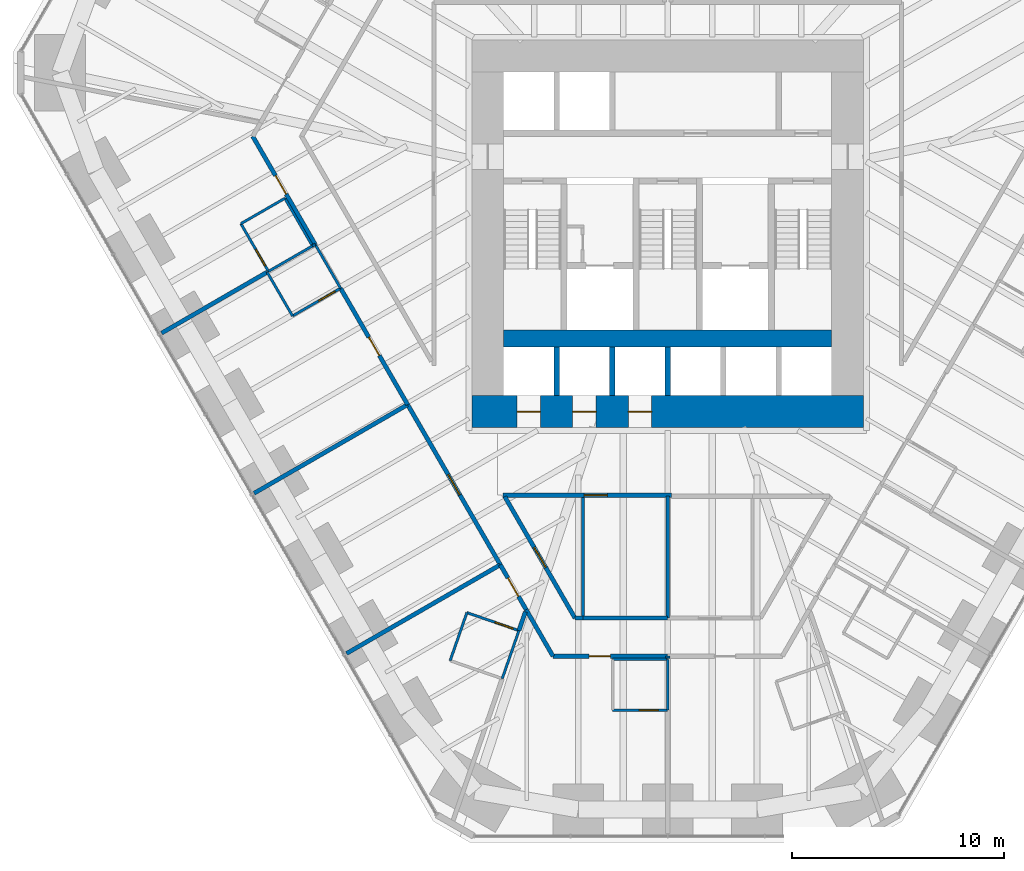
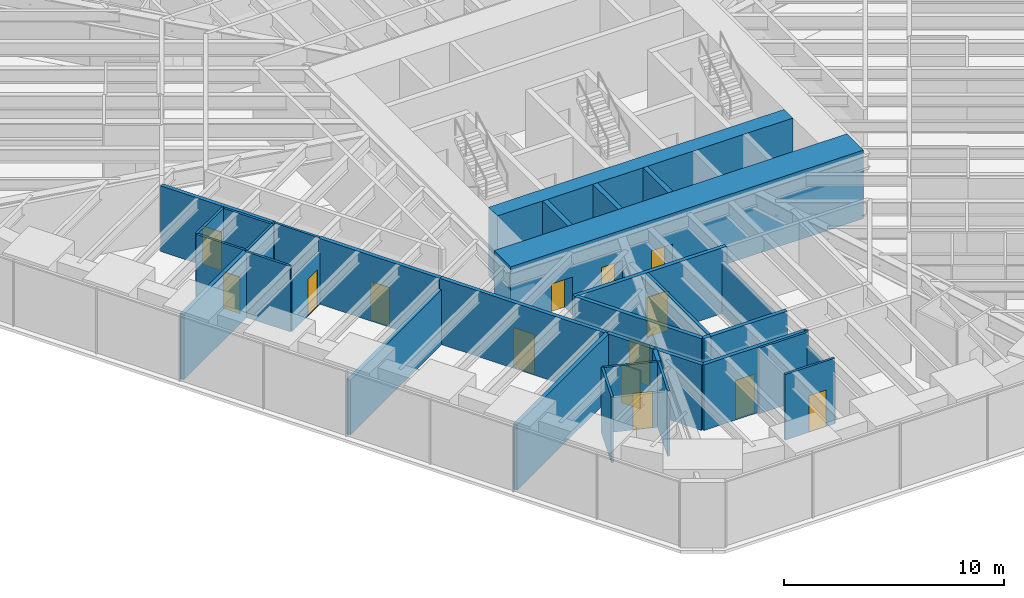
# One storey, part 11 of 17: 36 walls, 14 doors, 14 openings.
"""IFC4 building model written with IfcOpenShell, lengths in metres."""

from ifc_helpers import new_model, si_unit, direction, frame, frame_2d, origin, place, context, subcontext, project, spatial, rectangle, extrude, material, layer, layer_set, type_object, element, fill, save


model = new_model("IFC4")

# Units and contexts
model_context = context("Model", 3, precision=1e-05, world=origin(), true_north=direction((0.0, 1.0)))
body_context = subcontext(model_context, "Body", "Model", "MODEL_VIEW")
ifc_project = project(units=[si_unit("LENGTHUNIT", "METRE"), si_unit("AREAUNIT", "SQUARE_METRE"), si_unit("VOLUMEUNIT", "CUBIC_METRE"), si_unit("PLANEANGLEUNIT", "RADIAN"), si_unit("MASSUNIT", "GRAM", prefix="KILO")], contexts=[model_context])

# Site, building, storey
site_placement = place(None, origin())
site = spatial("IfcSite", under=ifc_project, at=site_placement, CompositionType="ELEMENT")
building_placement = place(site_placement, origin())
building = spatial("IfcBuilding", under=site, at=building_placement, Name="Sandreach Pilgrim Tower", CompositionType="ELEMENT")
storey_placement = place(building_placement, frame((0.0, 0.0, 38.199951171875)))
storey = spatial("IfcBuildingStorey", under=building, at=storey_placement, Name="L08", CompositionType="ELEMENT", Elevation=38.199951171875)

# Walls
ifc_material_1 = material(Name="Gypsum board on steel studs", Category="steel")
ifc_layer_1 = layer(ifc_material_1, 0.14990234375)
ifc_layer_set_1 = layer_set([ifc_layer_1], Name="Back of house wall 150")
wall_type_1 = type_object("IfcWallType", Name="Back of house wall 150", PredefinedType="PARTITIONING", material=ifc_layer_set_1)
wall_1_placement = place(storey_placement, frame((-4.0, -14.0, 0.0), z_axis=(0.0, 0.0, 1.0), x_axis=(0.0, -1.0, 0.0)))
element("IfcWall", 1, at=wall_1_placement, inside=storey, type_object=wall_type_1, Name="Back of house wall L08-054", PredefinedType="PARTITIONING", context=body_context, shape_type="SweptSolid", body=[
    extrude(rectangle(XDim=5.7099609375, YDim=0.14990234375, at=frame_2d((2.85498046875, 0.0))), origin(), (0.0, 0.0, 1.0), 3.64013671875),
])
wall_2_placement = place(storey_placement, frame((0.0, -13.949951171875, 0.0), z_axis=(0.0, 0.0, 1.0), x_axis=(0.0, -1.0, 0.0)))
element("IfcWall", 2, at=wall_2_placement, inside=storey, type_object=wall_type_1, Name="Back of house wall L08-069", PredefinedType="PARTITIONING", context=body_context, shape_type="SweptSolid", body=[
    extrude(rectangle(XDim=5.760009765625, YDim=0.14990234375, at=frame_2d((2.8798828125, 0.0))), origin(), (0.0, 0.0, 1.0), 2.8603515625),
])

# Wall, opening, door
ifc_material_2 = material(Name="Moisture-resistant gypsum board on steel studs", Category="steel")
ifc_layer_2 = layer(ifc_material_2, 0.1201171875)
ifc_layer_set_2 = layer_set([ifc_layer_2], Name="Bathroom partition 120")
wall_type_2 = type_object("IfcWallType", Name="Bathroom partition 120", PredefinedType="PARTITIONING", material=ifc_layer_set_2)
wall_3_placement = place(storey_placement, frame((-20.169921875, -1.070068359375, 0.0), z_axis=(0.0, 0.0, 1.0), x_axis=(0.500291685314, -0.865856933682, 0.0)))
wall_3 = element("IfcWall", 3, at=wall_3_placement, inside=storey, type_object=wall_type_2, Name="Bathroom partition L08-005", PredefinedType="PARTITIONING", context=body_context, shape_type="SweptSolid", body=[
    extrude(rectangle(XDim=2.5986328125, YDim=0.1201171875, at=frame_2d((1.29931640625, 0.0))), origin(), (0.0, 0.0, 1.0), 3.64013671875),
])
opening_1_placement = place(wall_3_placement, frame((1.398681640625, 0.0, 0.0)))
opening_1 = element("IfcOpeningElement", 4, at=opening_1_placement, cuts=wall_3, Name="Opening D09-17B", PredefinedType="OPENING", context=body_context, shape_type="SweptSolid", body=[
    extrude(rectangle(XDim=0.89990234375, YDim=2.030029296875, at=frame_2d((0.449951171875, 1.01513671875))), frame((0.0, 0.06005859375, 0.0), z_axis=(0.0, -1.0, 0.0), x_axis=(1.0, 0.0, 0.0)), (0.0, 0.0, 1.0), 0.1201171875),
])
ifc_material_3 = material(Name="Timber door, steel frame", Category="steel")
door_type_1 = type_object("IfcDoorType", Name="Bathroom door", OperationType="SINGLE_SWING_LEFT", PredefinedType="DOOR", material=ifc_material_3)
door_1_placement = place(opening_1_placement, origin())
door_1 = element("IfcDoor", 5, at=door_1_placement, inside=storey, type_object=door_type_1, Name="Door 0817B", OperationType="SINGLE_SWING_RIGHT", OverallHeight=2.030029296875, OverallWidth=0.89990234375, PredefinedType="DOOR", context=body_context, shape_type="SweptSolid", body=[
    extrude(rectangle(XDim=0.89990234375, YDim=2.030029296875, at=frame_2d((0.449951171875, 1.01513671875))), frame((0.0, 0.02490234375, 0.0), z_axis=(0.0, -1.0, 0.0), x_axis=(1.0, 0.0, 0.0)), (0.0, 0.0, 1.0), 0.050048828125),
])
fill(opening_1, door_1)

# Walls
wall_4_placement = place(storey_placement, frame((-18.929931640625, -3.360107421875, 0.0), z_axis=(0.0, 0.0, 1.0), x_axis=(0.501547039172, -0.865130376012, 0.0)))
element("IfcWall", 6, at=wall_4_placement, inside=storey, type_object=wall_type_2, Name="Bathroom partition L08-011", PredefinedType="PARTITIONING", context=body_context, shape_type="SweptSolid", body=[
    extrude(rectangle(XDim=2.392578125, YDim=0.1201171875, at=frame_2d((1.1962890625, 0.0))), origin(), (0.0, 0.0, 1.0), 3.64013671875),
])
wall_5_placement = place(storey_placement, frame((-18.86767578125, -3.323974609375, 0.0), z_axis=(0.0, 0.0, 1.0), x_axis=(0.866133109688, 0.499813401482, 0.0)))
element("IfcWall", 7, at=wall_5_placement, inside=storey, type_object=wall_type_2, Name="Bathroom partition L08-012", PredefinedType="PARTITIONING", context=body_context, shape_type="SweptSolid", body=[
    extrude(rectangle(XDim=2.4013671875, YDim=0.1201171875, at=frame_2d((1.20068359375, 0.0))), origin(), (0.0, 0.0, 1.0), 3.64013671875),
])
wall_6_placement = place(storey_placement, frame((-18.090087890625, 0.1298828125, 0.0), z_axis=(0.0, 0.0, 1.0), x_axis=(-0.866177122335, -0.499737123639, 0.0)))
element("IfcWall", 8, at=wall_6_placement, inside=storey, type_object=wall_type_2, Name="Bathroom partition L08-015", PredefinedType="PARTITIONING", context=body_context, shape_type="SweptSolid", body=[
    extrude(rectangle(XDim=2.401123046875, YDim=0.1201171875, at=frame_2d((1.20068359375, 0.0))), origin(), (0.0, 0.0, 1.0), 3.64013671875),
])

# Wall, opening, door
wall_7_placement = place(storey_placement, frame((-17.72998046875, -5.429931640625, 0.0), z_axis=(0.0, 0.0, 1.0), x_axis=(0.866114241029, 0.499846097802, 0.0)))
wall_7 = element("IfcWall", 9, at=wall_7_placement, inside=storey, type_object=wall_type_2, Name="Bathroom partition L08-016", PredefinedType="PARTITIONING", context=body_context, shape_type="SweptSolid", body=[
    extrude(rectangle(XDim=2.620849609375, YDim=0.1201171875, at=frame_2d((1.310546875, 0.0))), origin(), (0.0, 0.0, 1.0), 2.8779296875),
])
opening_2_placement = place(wall_7_placement, frame((1.4208984375, 0.0, 0.0)))
opening_2 = element("IfcOpeningElement", 10, at=opening_2_placement, cuts=wall_7, Name="Opening D09-16B", PredefinedType="OPENING", context=body_context, shape_type="SweptSolid", body=[
    extrude(rectangle(XDim=0.89990234375, YDim=2.030029296875, at=frame_2d((0.449951171875, 1.01513671875))), frame((0.0, 0.06005859375, 0.0), z_axis=(0.0, -1.0, 0.0), x_axis=(1.0, 0.0, 0.0)), (0.0, 0.0, 1.0), 0.1201171875),
])
door_2_placement = place(opening_2_placement, origin())
door_2 = element("IfcDoor", 11, at=door_2_placement, inside=storey, type_object=door_type_1, Name="Door 0816B", OperationType="SINGLE_SWING_RIGHT", OverallHeight=2.030029296875, OverallWidth=0.89990234375, PredefinedType="DOOR", context=body_context, shape_type="SweptSolid", body=[
    extrude(rectangle(XDim=0.89990234375, YDim=2.030029296875, at=frame_2d((0.449951171875, 1.01513671875))), frame((0.0, 0.02490234375, 0.0), z_axis=(0.0, -1.0, 0.0), x_axis=(1.0, 0.0, 0.0)), (0.0, 0.0, 1.0), 0.050048828125),
])
fill(opening_2, door_2)

# Walls
wall_8_placement = place(storey_placement, frame((-16.7900390625, -2.1201171875, 0.0), z_axis=(0.0, 0.0, 1.0), x_axis=(-0.50025099007, 0.865880446098, 0.0)))
element("IfcWall", 12, at=wall_8_placement, inside=storey, type_object=wall_type_2, Name="Bathroom partition L08-020", PredefinedType="PARTITIONING", context=body_context, shape_type="SweptSolid", body=[
    extrude(rectangle(XDim=2.598876953125, YDim=0.1201171875, at=frame_2d((1.29931640625, 0.0))), origin(), (0.0, 0.0, 1.0), 3.64013671875),
])
wall_9_placement = place(storey_placement, frame((-16.787841796875, -2.123779296875, 0.0), z_axis=(0.0, 0.0, 1.0), x_axis=(0.866405716731, 0.499340699338, 0.0)))
element("IfcWall", 13, at=wall_9_placement, inside=storey, type_object=wall_type_2, Name="Bathroom partition L08-021", PredefinedType="PARTITIONING", context=body_context, shape_type="SweptSolid", body=[
    extrude(rectangle(XDim=0.147705078125, YDim=0.1201171875, at=frame_2d((0.07373046875, 0.0))), origin(), (0.0, 0.0, 1.0), 3.64013671875),
])
wall_10_placement = place(storey_placement, frame((-16.659912109375, -2.050048828125, 0.0), z_axis=(0.0, 0.0, 1.0), x_axis=(0.501502765098, -0.865156041763, 0.0)))
element("IfcWall", 14, at=wall_10_placement, inside=storey, type_object=wall_type_2, Name="Bathroom partition L08-022", PredefinedType="PARTITIONING", context=body_context, shape_type="SweptSolid", body=[
    extrude(rectangle(XDim=2.392822265625, YDim=0.1201171875, at=frame_2d((1.1962890625, 0.0))), origin(), (0.0, 0.0, 1.0), 3.64013671875),
])
for number, where, z_axis, x_axis, name in (
    (15, (-9.489990234375, -19.449951171875, 0.0), (0.0, 0.0, 1.0), (-0.328693963496, -0.944436487203, 0.0), "Bathroom partition L08-043"),
    (16, (-7.820068359375, -22.570068359375, 0.0), (0.0, 0.0, 1.0), (0.328693963496, 0.944436487203, 0.0), "Bathroom partition L08-045"),
):
    element("IfcWall", number, at=place(storey_placement, frame(where, z_axis=z_axis, x_axis=x_axis)), inside=storey, type_object=wall_type_2, Name=name, PredefinedType="PARTITIONING", context=body_context, shape_type="SweptSolid", body=[
        extrude(rectangle(XDim=2.403564453125, YDim=0.1201171875, at=frame_2d((1.20166015625, 0.0))), origin(), (0.0, 0.0, 1.0), 3.64013671875),
    ])

# Wall, opening, door
wall_11_placement = place(storey_placement, frame((-7.030029296875, -20.300048828125, 0.0), z_axis=(0.0, 0.0, 1.0), x_axis=(-0.94515546045, 0.326620813149, 0.0)))
wall_11 = element("IfcWall", 17, at=wall_11_placement, inside=storey, type_object=wall_type_2, Name="Bathroom partition L08-046", PredefinedType="PARTITIONING", context=body_context, shape_type="SweptSolid", body=[
    extrude(rectangle(XDim=2.602783203125, YDim=0.1201171875, at=frame_2d((1.30126953125, 0.0))), origin(), (0.0, 0.0, 1.0), 3.64013671875),
])
opening_3_placement = place(wall_11_placement, frame((0.300048828125, 0.0, 0.0)))
opening_3 = element("IfcOpeningElement", 18, at=opening_3_placement, cuts=wall_11, Name="Opening D09-14B", PredefinedType="OPENING", context=body_context, shape_type="SweptSolid", body=[
    extrude(rectangle(XDim=0.89990234375, YDim=2.030029296875, at=frame_2d((0.449951171875, 1.01513671875))), frame((0.0, 0.06005859375, 0.0), z_axis=(0.0, -1.0, 0.0), x_axis=(1.0, 0.0, 0.0)), (0.0, 0.0, 1.0), 0.1201171875),
])
door_3_placement = place(opening_3_placement, origin())
door_3 = element("IfcDoor", 19, at=door_3_placement, inside=storey, type_object=door_type_1, Name="Door 0814B", OperationType="SINGLE_SWING_LEFT", OverallHeight=2.030029296875, OverallWidth=0.89990234375, PredefinedType="DOOR", context=body_context, shape_type="SweptSolid", body=[
    extrude(rectangle(XDim=0.89990234375, YDim=2.030029296875, at=frame_2d((0.449951171875, 1.01513671875))), frame((0.0, 0.02490234375, 0.0), z_axis=(0.0, -1.0, 0.0), x_axis=(1.0, 0.0, 0.0)), (0.0, 0.0, 1.0), 0.050048828125),
])
fill(opening_3, door_3)

wall_12_placement = place(storey_placement, frame((-2.60009765625, -24.06005859375, 0.0), z_axis=(0.0, 0.0, 1.0), x_axis=(1.0, 0.0, 0.0)))
wall_12 = element("IfcWall", 20, at=wall_12_placement, inside=storey, type_object=wall_type_2, Name="Bathroom partition L08-055", PredefinedType="PARTITIONING", context=body_context, shape_type="SweptSolid", body=[
    extrude(rectangle(XDim=2.60009765625, YDim=0.1201171875, at=frame_2d((1.300048828125, 0.0))), origin(), (0.0, 0.0, 1.0), 3.64013671875),
])
opening_4_placement = place(wall_12_placement, frame((1.25, 0.0, 0.0)))
opening_4 = element("IfcOpeningElement", 21, at=opening_4_placement, cuts=wall_12, Name="Opening D09-13B", PredefinedType="OPENING", context=body_context, shape_type="SweptSolid", body=[
    extrude(rectangle(XDim=0.89990234375, YDim=2.030029296875, at=frame_2d((0.449951171875, 1.01513671875))), frame((0.0, 0.06005859375, 0.0), z_axis=(0.0, -1.0, 0.0), x_axis=(1.0, 0.0, 0.0)), (0.0, 0.0, 1.0), 0.1201171875),
])
door_4_placement = place(opening_4_placement, origin())
door_4 = element("IfcDoor", 22, at=door_4_placement, inside=storey, type_object=door_type_1, Name="Door 0813B", OperationType="SINGLE_SWING_RIGHT", OverallHeight=2.030029296875, OverallWidth=0.89990234375, PredefinedType="DOOR", context=body_context, shape_type="SweptSolid", body=[
    extrude(rectangle(XDim=0.89990234375, YDim=2.030029296875, at=frame_2d((0.449951171875, 1.01513671875))), frame((0.0, 0.02490234375, 0.0), z_axis=(0.0, -1.0, 0.0), x_axis=(1.0, 0.0, 0.0)), (0.0, 0.0, 1.0), 0.050048828125),
])
fill(opening_4, door_4)

# Walls
wall_13_placement = place(storey_placement, frame((0.0, -24.06005859375, 0.0), z_axis=(0.0, 0.0, 1.0), x_axis=(0.0, 1.0, 0.0)))
element("IfcWall", 23, at=wall_13_placement, inside=storey, type_object=wall_type_2, Name="Bathroom partition L08-064", PredefinedType="PARTITIONING", context=body_context, shape_type="SweptSolid", body=[
    extrude(rectangle(XDim=2.400146484375, YDim=0.1201171875, at=frame_2d((1.2001953125, 0.0))), origin(), (0.0, 0.0, 1.0), 2.8603515625),
])
wall_14_placement = place(storey_placement, frame((0.0, -21.659912109375, 0.0), z_axis=(0.0, 0.0, 1.0), x_axis=(-1.0, 0.0, 0.0)))
element("IfcWall", 24, at=wall_14_placement, inside=storey, type_object=wall_type_2, Name="Bathroom partition L08-065", PredefinedType="PARTITIONING", context=body_context, shape_type="SweptSolid", body=[
    extrude(rectangle(XDim=2.60009765625, YDim=0.1201171875, at=frame_2d((1.300048828125, 0.0))), origin(), (0.0, 0.0, 1.0), 3.64013671875),
])
ifc_material_4 = material(Name="Concrete 10000 psi", Category="concrete")
ifc_layer_3 = layer(ifc_material_4, 0.800048828125)
ifc_layer_set_3 = layer_set([ifc_layer_3], Name="Core mid wall 800")
wall_type_3 = type_object("IfcWallType", Name="Core mid wall 800", PredefinedType="SHEAR", material=ifc_layer_set_3)
wall_15_placement = place(storey_placement, frame((-7.75, -6.5, 0.0), z_axis=(0.0, 0.0, 1.0), x_axis=(1.0, 0.0, 0.0)))
element("IfcWall", 25, at=wall_15_placement, inside=storey, type_object=wall_type_3, Name="Core wall M L08", PredefinedType="SHEAR", context=body_context, shape_type="SweptSolid", body=[
    extrude(rectangle(XDim=15.5, YDim=0.800048828125, at=frame_2d((7.75, 0.0))), origin(), (0.0, 0.0, 1.0), 3.800048828125),
])

# Wall, openings, doors
ifc_material_5 = material(Name="Concrete 10000 psi", Category="concrete")
ifc_layer_4 = layer(ifc_material_5, 1.5)
ifc_layer_set_4 = layer_set([ifc_layer_4], Name="Core wall 1500")
wall_type_4 = type_object("IfcWallType", Name="Core wall 1500", PredefinedType="SHEAR", material=ifc_layer_set_4)
wall_16_placement = place(storey_placement, frame((-9.25, -9.949951171875, 0.0), z_axis=(0.0, 0.0, 1.0), x_axis=(1.0, 0.0, 0.0)))
wall_16 = element("IfcWall", 26, at=wall_16_placement, inside=storey, type_object=wall_type_4, Name="Core wall S L08", PredefinedType="SHEAR", context=body_context, shape_type="SweptSolid", body=[
    extrude(rectangle(XDim=18.5, YDim=1.5, at=frame_2d((9.25, 0.0))), origin(), (0.0, 0.0, 1.0), 3.800048828125),
])
opening_5_placement = place(wall_16_placement, frame((2.137451171875, 0.0, 0.0)))
opening_5 = element("IfcOpeningElement", 27, at=opening_5_placement, cuts=wall_16, Name="Opening LD11", PredefinedType="OPENING", context=body_context, shape_type="SweptSolid", body=[
    extrude(rectangle(XDim=1.10009765625, YDim=2.10009765625, at=frame_2d((0.550048828125, 1.050048828125))), frame((0.0, 0.75, 0.0), z_axis=(0.0, -1.0, 0.0), x_axis=(1.0, 0.0, 0.0)), (0.0, 0.0, 1.0), 1.5),
])
opening_6_placement = place(wall_16_placement, frame((4.762451171875, 0.0, 0.0)))
opening_6 = element("IfcOpeningElement", 28, at=opening_6_placement, cuts=wall_16, Name="Opening LD11", PredefinedType="OPENING", context=body_context, shape_type="SweptSolid", body=[
    extrude(rectangle(XDim=1.10009765625, YDim=2.10009765625, at=frame_2d((0.550048828125, 1.050048828125))), frame((0.0, 0.75, 0.0), z_axis=(0.0, -1.0, 0.0), x_axis=(1.0, 0.0, 0.0)), (0.0, 0.0, 1.0), 1.5),
])
opening_7_placement = place(wall_16_placement, frame((7.387451171875, 0.0, 0.0)))
opening_7 = element("IfcOpeningElement", 29, at=opening_7_placement, cuts=wall_16, Name="Opening LD11", PredefinedType="OPENING", context=body_context, shape_type="SweptSolid", body=[
    extrude(rectangle(XDim=1.10009765625, YDim=2.10009765625, at=frame_2d((0.550048828125, 1.050048828125))), frame((0.0, 0.75, 0.0), z_axis=(0.0, -1.0, 0.0), x_axis=(1.0, 0.0, 0.0)), (0.0, 0.0, 1.0), 1.5),
])
ifc_material_6 = material(Name="Steel door and frame", Category="steel")
door_type_2 = type_object("IfcDoorType", Name="Lift landing door", OperationType="DOUBLE_DOOR_SLIDING", PredefinedType="DOOR", material=ifc_material_6)
door_5_placement = place(opening_5_placement, origin())
door_5 = element("IfcDoor", 30, at=door_5_placement, inside=storey, type_object=door_type_2, Name="Lift landing door Z1A L08", OperationType="DOUBLE_DOOR_SLIDING", OverallHeight=2.10009765625, OverallWidth=1.10009765625, PredefinedType="DOOR", context=body_context, shape_type="SweptSolid", body=[
    extrude(rectangle(XDim=1.10009765625, YDim=2.10009765625, at=frame_2d((0.550048828125, 1.050048828125))), frame((0.0, 0.02490234375, 0.0), z_axis=(0.0, -1.0, 0.0), x_axis=(1.0, 0.0, 0.0)), (0.0, 0.0, 1.0), 0.050048828125),
])
fill(opening_5, door_5)
door_6_placement = place(opening_6_placement, origin())
door_6 = element("IfcDoor", 31, at=door_6_placement, inside=storey, type_object=door_type_2, Name="Lift landing door Z1B L08", OperationType="DOUBLE_DOOR_SLIDING", OverallHeight=2.10009765625, OverallWidth=1.10009765625, PredefinedType="DOOR", context=body_context, shape_type="SweptSolid", body=[
    extrude(rectangle(XDim=1.10009765625, YDim=2.10009765625, at=frame_2d((0.550048828125, 1.050048828125))), frame((0.0, 0.02490234375, 0.0), z_axis=(0.0, -1.0, 0.0), x_axis=(1.0, 0.0, 0.0)), (0.0, 0.0, 1.0), 0.050048828125),
])
fill(opening_6, door_6)
door_7_placement = place(opening_7_placement, origin())
door_7 = element("IfcDoor", 32, at=door_7_placement, inside=storey, type_object=door_type_2, Name="Lift landing door Z1C L08", OperationType="DOUBLE_DOOR_SLIDING", OverallHeight=2.10009765625, OverallWidth=1.10009765625, PredefinedType="DOOR", context=body_context, shape_type="SweptSolid", body=[
    extrude(rectangle(XDim=1.10009765625, YDim=2.10009765625, at=frame_2d((0.550048828125, 1.050048828125))), frame((0.0, 0.02490234375, 0.0), z_axis=(0.0, -1.0, 0.0), x_axis=(1.0, 0.0, 0.0)), (0.0, 0.0, 1.0), 0.050048828125),
])
fill(opening_7, door_7)

# Wall, opening, door
ifc_material_7 = material(Name="Gypsum board on steel studs, two layers each side", Category="steel")
ifc_layer_5 = layer(ifc_material_7, 0.199951171875)
ifc_layer_set_5 = layer_set([ifc_layer_5], Name="Corridor wall 200")
wall_type_5 = type_object("IfcWallType", Name="Corridor wall 200", PredefinedType="PARTITIONING", material=ifc_layer_set_5)
wall_17_placement = place(storey_placement, frame((-19.610107421875, 3.06005859375, 0.0), z_axis=(0.0, 0.0, 1.0), x_axis=(0.499983910424, -0.866034692906, 0.0)))
wall_17 = element("IfcWall", 33, at=wall_17_placement, inside=storey, type_object=wall_type_5, Name="Corridor wall L08-007", PredefinedType="PARTITIONING", context=body_context, shape_type="SweptSolid", body=[
    extrude(rectangle(XDim=5.900634765625, YDim=0.199951171875, at=frame_2d((2.9501953125, 0.0))), origin(), (0.0, 0.0, 1.0), 3.64013671875),
])
opening_8_placement = place(wall_17_placement, frame((2.14990234375, 0.0, 0.0)))
opening_8 = element("IfcOpeningElement", 34, at=opening_8_placement, cuts=wall_17, Name="Opening D10-17", PredefinedType="OPENING", context=body_context, shape_type="SweptSolid", body=[
    extrude(rectangle(XDim=1.0, YDim=2.1298828125, at=frame_2d((0.5, 1.06494140625))), frame((0.0, 0.10009765625, 0.0), z_axis=(0.0, -1.0, 0.0), x_axis=(1.0, 0.0, 0.0)), (0.0, 0.0, 1.0), 0.199951171875),
])
ifc_material_8 = material(Name="Steel door and frame", Category="steel")
door_type_3 = type_object("IfcDoorType", Name="Guest room entry door", OperationType="SINGLE_SWING_LEFT", PredefinedType="DOOR", material=ifc_material_8)
door_8_placement = place(opening_8_placement, origin())
door_8 = element("IfcDoor", 35, at=door_8_placement, inside=storey, type_object=door_type_3, Name="Door 0817", OperationType="SINGLE_SWING_LEFT", OverallHeight=2.1298828125, OverallWidth=1.0, PredefinedType="DOOR", context=body_context, shape_type="SweptSolid", body=[
    extrude(rectangle(XDim=1.0, YDim=2.1298828125, at=frame_2d((0.5, 1.06494140625))), frame((0.0, 0.02490234375, 0.0), z_axis=(0.0, -1.0, 0.0), x_axis=(1.0, 0.0, 0.0)), (0.0, 0.0, 1.0), 0.050048828125),
])
fill(opening_8, door_8)

wall_18_placement = place(storey_placement, frame((-15.4599609375, -4.1201171875, 0.0), z_axis=(0.0, 0.0, 1.0), x_axis=(0.499349514416, -0.866400636226, 0.0)))
wall_18 = element("IfcWall", 36, at=wall_18_placement, inside=storey, type_object=wall_type_5, Name="Corridor wall L08-026", PredefinedType="PARTITIONING", context=body_context, shape_type="SweptSolid", body=[
    extrude(rectangle(XDim=6.34814453125, YDim=0.199951171875, at=frame_2d((3.174072265625, 0.0))), origin(), (0.0, 0.0, 1.0), 3.64013671875),
])
opening_9_placement = place(wall_18_placement, frame((2.674072265625, 0.0, 0.0)))
opening_9 = element("IfcOpeningElement", 37, at=opening_9_placement, cuts=wall_18, Name="Opening D10-16", PredefinedType="OPENING", context=body_context, shape_type="SweptSolid", body=[
    extrude(rectangle(XDim=1.0, YDim=2.1298828125, at=frame_2d((0.5, 1.06494140625))), frame((0.0, 0.10009765625, 0.0), z_axis=(0.0, -1.0, 0.0), x_axis=(1.0, 0.0, 0.0)), (0.0, 0.0, 1.0), 0.199951171875),
])
door_9_placement = place(opening_9_placement, origin())
door_9 = element("IfcDoor", 38, at=door_9_placement, inside=storey, type_object=door_type_3, Name="Door 0816", OperationType="SINGLE_SWING_LEFT", OverallHeight=2.1298828125, OverallWidth=1.0, PredefinedType="DOOR", context=body_context, shape_type="SweptSolid", body=[
    extrude(rectangle(XDim=1.0, YDim=2.1298828125, at=frame_2d((0.5, 1.06494140625))), frame((0.0, 0.02490234375, 0.0), z_axis=(0.0, -1.0, 0.0), x_axis=(1.0, 0.0, 0.0)), (0.0, 0.0, 1.0), 0.050048828125),
])
fill(opening_9, door_9)

wall_19_placement = place(storey_placement, frame((-12.2900390625, -9.6201171875, 0.0), z_axis=(0.0, 0.0, 1.0), x_axis=(0.500830481537, -0.86554539382, 0.0)))
wall_19 = element("IfcWall", 39, at=wall_19_placement, inside=storey, type_object=wall_type_5, Name="Corridor wall L08-034", PredefinedType="PARTITIONING", context=body_context, shape_type="SweptSolid", body=[
    extrude(rectangle(XDim=8.745849609375, YDim=0.199951171875, at=frame_2d((4.373046875, 0.0))), origin(), (0.0, 0.0, 1.0), 3.64013671875),
])
opening_10_placement = place(wall_19_placement, frame((3.822998046875, 0.0, 0.0)))
opening_10 = element("IfcOpeningElement", 40, at=opening_10_placement, cuts=wall_19, Name="Opening D11H-15", PredefinedType="OPENING", context=body_context, shape_type="SweptSolid", body=[
    extrude(rectangle(XDim=1.10009765625, YDim=2.199951171875, at=frame_2d((0.550048828125, 1.10009765625))), frame((0.0, 0.10009765625, 0.0), z_axis=(0.0, -1.0, 0.0), x_axis=(1.0, 0.0, 0.0)), (0.0, 0.0, 1.0), 0.199951171875),
])
ifc_material_9 = material(Name="Steel door and frame", Category="steel")
door_type_4 = type_object("IfcDoorType", Name="Back of house door", OperationType="SINGLE_SWING_LEFT", PredefinedType="DOOR", material=ifc_material_9)
door_10_placement = place(opening_10_placement, origin())
door_10 = element("IfcDoor", 41, at=door_10_placement, inside=storey, type_object=door_type_4, Name="Door 0815", OperationType="SINGLE_SWING_LEFT", OverallHeight=2.199951171875, OverallWidth=1.10009765625, PredefinedType="DOOR", context=body_context, shape_type="SweptSolid", body=[
    extrude(rectangle(XDim=1.10009765625, YDim=2.199951171875, at=frame_2d((0.550048828125, 1.10009765625))), frame((0.0, 0.02490234375, 0.0), z_axis=(0.0, -1.0, 0.0), x_axis=(1.0, 0.0, 0.0)), (0.0, 0.0, 1.0), 0.050048828125),
])
fill(opening_10, door_10)

wall_20_placement = place(storey_placement, frame((-7.909912109375, -17.18994140625, 0.0), z_axis=(0.0, 0.0, 1.0), x_axis=(0.498748634132, -0.866746675766, 0.0)))
wall_20 = element("IfcWall", 42, at=wall_20_placement, inside=storey, type_object=wall_type_5, Name="Corridor wall L08-044", PredefinedType="PARTITIONING", context=body_context, shape_type="SweptSolid", body=[
    extrude(rectangle(XDim=2.446044921875, YDim=0.199951171875, at=frame_2d((1.22314453125, 0.0))), origin(), (0.0, 0.0, 1.0), 3.64013671875),
])
opening_11_placement = place(wall_20_placement, frame((0.722900390625, 0.0, 0.0)))
opening_11 = element("IfcOpeningElement", 43, at=opening_11_placement, cuts=wall_20, Name="Opening D10-14", PredefinedType="OPENING", context=body_context, shape_type="SweptSolid", body=[
    extrude(rectangle(XDim=1.0, YDim=2.1298828125, at=frame_2d((0.5, 1.06494140625))), frame((0.0, 0.10009765625, 0.0), z_axis=(0.0, -1.0, 0.0), x_axis=(1.0, 0.0, 0.0)), (0.0, 0.0, 1.0), 0.199951171875),
])
door_11_placement = place(opening_11_placement, origin())
door_11 = element("IfcDoor", 44, at=door_11_placement, inside=storey, type_object=door_type_3, Name="Door 0814", OperationType="SINGLE_SWING_LEFT", OverallHeight=2.1298828125, OverallWidth=1.0, PredefinedType="DOOR", context=body_context, shape_type="SweptSolid", body=[
    extrude(rectangle(XDim=1.0, YDim=2.1298828125, at=frame_2d((0.5, 1.06494140625))), frame((0.0, 0.02490234375, 0.0), z_axis=(0.0, -1.0, 0.0), x_axis=(1.0, 0.0, 0.0)), (0.0, 0.0, 1.0), 0.050048828125),
])
fill(opening_11, door_11)

# Wall
wall_21_placement = place(storey_placement, frame((-6.68994140625, -19.31005859375, 0.0), z_axis=(0.0, 0.0, 1.0), x_axis=(0.499963722229, -0.866046347752, 0.0)))
element("IfcWall", 45, at=wall_21_placement, inside=storey, type_object=wall_type_5, Name="Corridor wall L08-048", PredefinedType="PARTITIONING", context=body_context, shape_type="SweptSolid", body=[
    extrude(rectangle(XDim=2.540283203125, YDim=0.199951171875, at=frame_2d((1.27001953125, 0.0))), origin(), (0.0, 0.0, 1.0), 3.64013671875),
])

# Wall, opening, door
wall_22_placement = place(storey_placement, frame((-5.419921875, -21.510009765625, 0.0), z_axis=(0.0, 0.0, 1.0), x_axis=(1.0, 0.0, 0.0)))
wall_22 = element("IfcWall", 46, at=wall_22_placement, inside=storey, type_object=wall_type_5, Name="Corridor wall L08-049", PredefinedType="PARTITIONING", context=body_context, shape_type="SweptSolid", body=[
    extrude(rectangle(XDim=5.419921875, YDim=0.199951171875, at=frame_2d((2.7099609375, 0.0))), origin(), (0.0, 0.0, 1.0), 3.64013671875),
])
opening_12_placement = place(wall_22_placement, frame((1.7099609375, 0.0, 0.0)))
opening_12 = element("IfcOpeningElement", 47, at=opening_12_placement, cuts=wall_22, Name="Opening D10-13", PredefinedType="OPENING", context=body_context, shape_type="SweptSolid", body=[
    extrude(rectangle(XDim=1.0, YDim=2.1298828125, at=frame_2d((0.5, 1.06494140625))), frame((0.0, 0.10009765625, 0.0), z_axis=(0.0, -1.0, 0.0), x_axis=(1.0, 0.0, 0.0)), (0.0, 0.0, 1.0), 0.199951171875),
])
door_12_placement = place(opening_12_placement, origin())
door_12 = element("IfcDoor", 48, at=door_12_placement, inside=storey, type_object=door_type_3, Name="Door 0813", OperationType="SINGLE_SWING_LEFT", OverallHeight=2.1298828125, OverallWidth=1.0, PredefinedType="DOOR", context=body_context, shape_type="SweptSolid", body=[
    extrude(rectangle(XDim=1.0, YDim=2.1298828125, at=frame_2d((0.5, 1.06494140625))), frame((0.0, 0.02490234375, 0.0), z_axis=(0.0, -1.0, 0.0), x_axis=(1.0, 0.0, 0.0)), (0.0, 0.0, 1.0), 0.050048828125),
])
fill(opening_12, door_12)

wall_23_placement = place(storey_placement, frame((-4.3798828125, -19.7099609375, 0.0), z_axis=(0.0, 0.0, 1.0), x_axis=(-0.500523653757, 0.865722860984, 0.0)))
wall_23 = element("IfcWall", 49, at=wall_23_placement, inside=storey, type_object=wall_type_5, Name="Corridor wall L08-052", PredefinedType="PARTITIONING", context=body_context, shape_type="SweptSolid", body=[
    extrude(rectangle(XDim=6.62841796875, YDim=0.199951171875, at=frame_2d((3.314208984375, 0.0))), origin(), (0.0, 0.0, 1.0), 3.64013671875),
])
opening_13_placement = place(wall_23_placement, frame((2.76416015625, 0.0, 0.0)))
opening_13 = element("IfcOpeningElement", 50, at=opening_13_placement, cuts=wall_23, Name="Opening D11H-S1", PredefinedType="OPENING", context=body_context, shape_type="SweptSolid", body=[
    extrude(rectangle(XDim=1.10009765625, YDim=2.199951171875, at=frame_2d((0.550048828125, 1.10009765625))), frame((0.0, 0.10009765625, 0.0), z_axis=(0.0, -1.0, 0.0), x_axis=(1.0, 0.0, 0.0)), (0.0, 0.0, 1.0), 0.199951171875),
])
door_13_placement = place(opening_13_placement, origin())
door_13 = element("IfcDoor", 51, at=door_13_placement, inside=storey, type_object=door_type_4, Name="Door 08S1", OperationType="SINGLE_SWING_LEFT", OverallHeight=2.199951171875, OverallWidth=1.10009765625, PredefinedType="DOOR", context=body_context, shape_type="SweptSolid", body=[
    extrude(rectangle(XDim=1.10009765625, YDim=2.199951171875, at=frame_2d((0.550048828125, 1.10009765625))), frame((0.0, 0.02490234375, 0.0), z_axis=(0.0, -1.0, 0.0), x_axis=(1.0, 0.0, 0.0)), (0.0, 0.0, 1.0), 0.050048828125),
])
fill(opening_13, door_13)

# Walls
wall_24_placement = place(storey_placement, frame((-4.0, -19.7099609375, 0.0), z_axis=(0.0, 0.0, 1.0), x_axis=(-1.0, 0.0, 0.0)))
element("IfcWall", 52, at=wall_24_placement, inside=storey, type_object=wall_type_5, Name="Corridor wall L08-053", PredefinedType="PARTITIONING", context=body_context, shape_type="SweptSolid", body=[
    extrude(rectangle(XDim=0.3798828125, YDim=0.199951171875, at=frame_2d((0.18994140625, 0.0))), origin(), (0.0, 0.0, 1.0), 3.64013671875),
])
wall_25_placement = place(storey_placement, frame((0.0, -19.7099609375, 0.0), z_axis=(0.0, 0.0, 1.0), x_axis=(-1.0, 0.0, 0.0)))
element("IfcWall", 53, at=wall_25_placement, inside=storey, type_object=wall_type_5, Name="Corridor wall L08-068", PredefinedType="PARTITIONING", context=body_context, shape_type="SweptSolid", body=[
    extrude(rectangle(XDim=4.0, YDim=0.199951171875, at=frame_2d((2.0, 0.0))), origin(), (0.0, 0.0, 1.0), 3.64013671875),
])

# Wall, opening, door
wall_26_placement = place(storey_placement, frame((0.179931640625, -13.89990234375, 0.0), z_axis=(0.0, 0.0, 1.0), x_axis=(-1.0, 0.0, 0.0)))
wall_26 = element("IfcWall", 54, at=wall_26_placement, inside=storey, type_object=wall_type_5, Name="Corridor wall L08-073", PredefinedType="PARTITIONING", context=body_context, shape_type="SweptSolid", body=[
    extrude(rectangle(XDim=7.969970703125, YDim=0.199951171875, at=frame_2d((3.98486328125, 0.0))), origin(), (0.0, 0.0, 1.0), 3.64013671875),
])
opening_14_placement = place(wall_26_placement, frame((3.034912109375, 0.0, 0.0)))
opening_14 = element("IfcOpeningElement", 55, at=opening_14_placement, cuts=wall_26, Name="Opening D11H-S2", PredefinedType="OPENING", context=body_context, shape_type="SweptSolid", body=[
    extrude(rectangle(XDim=1.10009765625, YDim=2.199951171875, at=frame_2d((0.550048828125, 1.10009765625))), frame((0.0, 0.10009765625, 0.0), z_axis=(0.0, -1.0, 0.0), x_axis=(1.0, 0.0, 0.0)), (0.0, 0.0, 1.0), 0.199951171875),
])
door_14_placement = place(opening_14_placement, origin())
door_14 = element("IfcDoor", 56, at=door_14_placement, inside=storey, type_object=door_type_4, Name="Door 08S2", OperationType="SINGLE_SWING_LEFT", OverallHeight=2.199951171875, OverallWidth=1.10009765625, PredefinedType="DOOR", context=body_context, shape_type="SweptSolid", body=[
    extrude(rectangle(XDim=1.10009765625, YDim=2.199951171875, at=frame_2d((0.550048828125, 1.10009765625))), frame((0.0, 0.02490234375, 0.0), z_axis=(0.0, -1.0, 0.0), x_axis=(1.0, 0.0, 0.0)), (0.0, 0.0, 1.0), 0.050048828125),
])
fill(opening_14, door_14)

# Walls
ifc_material_10 = material(Name="Double steel stud acoustic wall, gypsum board", Category="steel")
ifc_layer_6 = layer(ifc_material_10, 0.199951171875)
ifc_layer_set_6 = layer_set([ifc_layer_6], Name="Party wall 200")
wall_type_6 = type_object("IfcWallType", Name="Party wall 200", PredefinedType="PARTITIONING", material=ifc_layer_set_6)
wall_27_placement = place(storey_placement, frame((-23.916015625, -6.239990234375, 0.0), z_axis=(0.0, 0.0, 1.0), x_axis=(0.865919350456, 0.50018364478, 0.0)))
element("IfcWall", 57, at=wall_27_placement, inside=storey, type_object=wall_type_6, Name="Party wall L08-003", PredefinedType="PARTITIONING", context=body_context, shape_type="SweptSolid", body=[
    extrude(rectangle(XDim=5.758056640625, YDim=0.199951171875, at=frame_2d((2.87890625, 0.0))), origin(), (0.0, 0.0, 1.0), 3.64013671875),
])
wall_28_placement = place(storey_placement, frame((-19.546142578125, -13.81005859375, 0.0), z_axis=(0.0, 0.0, 1.0), x_axis=(0.86599028666, 0.500060819711, 0.0)))
element("IfcWall", 58, at=wall_28_placement, inside=storey, type_object=wall_type_6, Name="Party wall L08-008", PredefinedType="PARTITIONING", context=body_context, shape_type="SweptSolid", body=[
    extrude(rectangle(XDim=8.369140625, YDim=0.199951171875, at=frame_2d((4.1845703125, 0.0))), origin(), (0.0, 0.0, 1.0), 3.0380859375),
])
wall_29_placement = place(storey_placement, frame((-15.176025390625, -21.380126953125, 0.0), z_axis=(0.0, 0.0, 1.0), x_axis=(0.866276837306, 0.49956425127, 0.0)))
element("IfcWall", 59, at=wall_29_placement, inside=storey, type_object=wall_type_6, Name="Party wall L08-027", PredefinedType="PARTITIONING", context=body_context, shape_type="SweptSolid", body=[
    extrude(rectangle(XDim=8.37255859375, YDim=0.199951171875, at=frame_2d((4.186279296875, 0.0))), origin(), (0.0, 0.0, 1.0), 3.64013671875),
])
wall_30_placement = place(storey_placement, frame((-7.030029296875, -20.300048828125, 0.0), z_axis=(0.0, 0.0, 1.0), x_axis=(0.324737408014, 0.94580421644, 0.0)))
element("IfcWall", 60, at=wall_30_placement, inside=storey, type_object=wall_type_6, Name="Party wall L08-047", PredefinedType="PARTITIONING", context=body_context, shape_type="SweptSolid", body=[
    extrude(rectangle(XDim=0.936767578125, YDim=0.199951171875, at=frame_2d((0.46826171875, 0.0))), origin(), (0.0, 0.0, 1.0), 3.64013671875),
])
wall_31_placement = place(storey_placement, frame((0.0, -21.60009765625, 0.0), z_axis=(0.0, 0.0, 1.0), x_axis=(0.0, 1.0, 0.0)))
element("IfcWall", 61, at=wall_31_placement, inside=storey, type_object=wall_type_6, Name="Party wall L08-066", PredefinedType="PARTITIONING", context=body_context, shape_type="SweptSolid", body=[
    extrude(rectangle(XDim=0.090087890625, YDim=0.199951171875, at=frame_2d((0.044921875, 0.0))), origin(), (0.0, 0.0, 1.0), 3.64013671875),
])
ifc_material_11 = material(Name="Gypsum shaft wall on steel studs, two layers of shaft liner board", Category="steel")
ifc_layer_7 = layer(ifc_material_11, 0.25)
ifc_layer_set_7 = layer_set([ifc_layer_7], Name="Shaft partition 250")
wall_type_7 = type_object("IfcWallType", Name="Shaft partition 250", PredefinedType="PARTITIONING", material=ifc_layer_set_7)
for number, where, z_axis, x_axis, name in (
    (62, (-5.25, -9.199951171875, 0.0), (0.0, 0.0, 1.0), (0.0, 1.0, 0.0), "Shaft partition XS0 L08"),
    (63, (-2.625, -9.199951171875, 0.0), (0.0, 0.0, 1.0), (0.0, 1.0, 0.0), "Shaft partition XS1 L08"),
    (64, (0.0, -9.199951171875, 0.0), (0.0, 0.0, 1.0), (0.0, 1.0, 0.0), "Shaft partition XS2 L08"),
):
    element("IfcWall", number, at=place(storey_placement, frame(where, z_axis=z_axis, x_axis=x_axis)), inside=storey, type_object=wall_type_7, Name=name, PredefinedType="PARTITIONING", context=body_context, shape_type="SweptSolid", body=[
        extrude(rectangle(XDim=2.300048828125, YDim=0.25, at=frame_2d((1.14990234375, 0.0))), origin(), (0.0, 0.0, 1.0), 3.800048828125),
    ])

save(model, "model.ifc")
